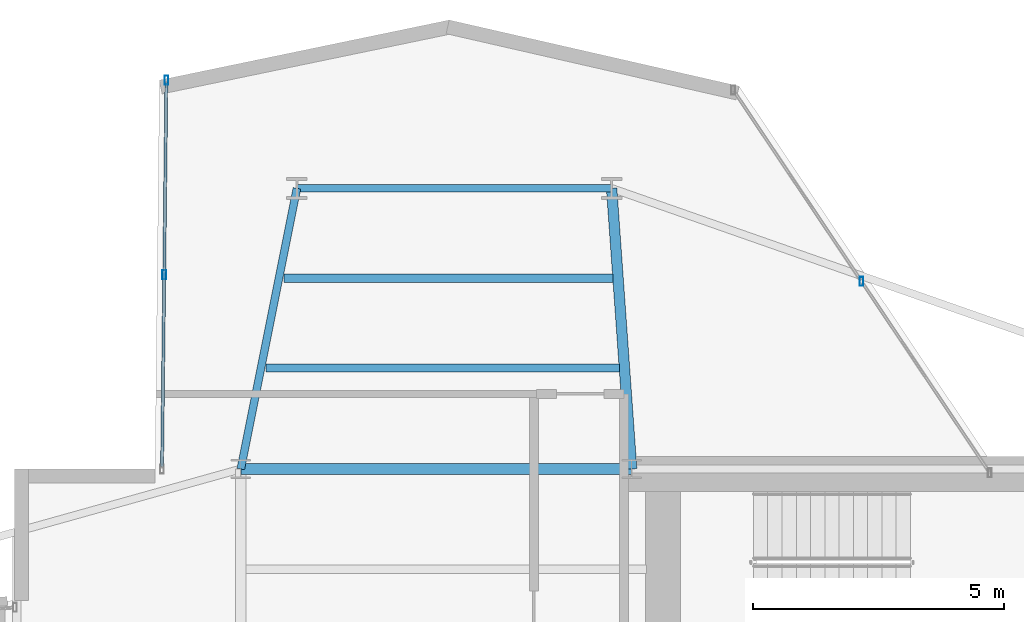
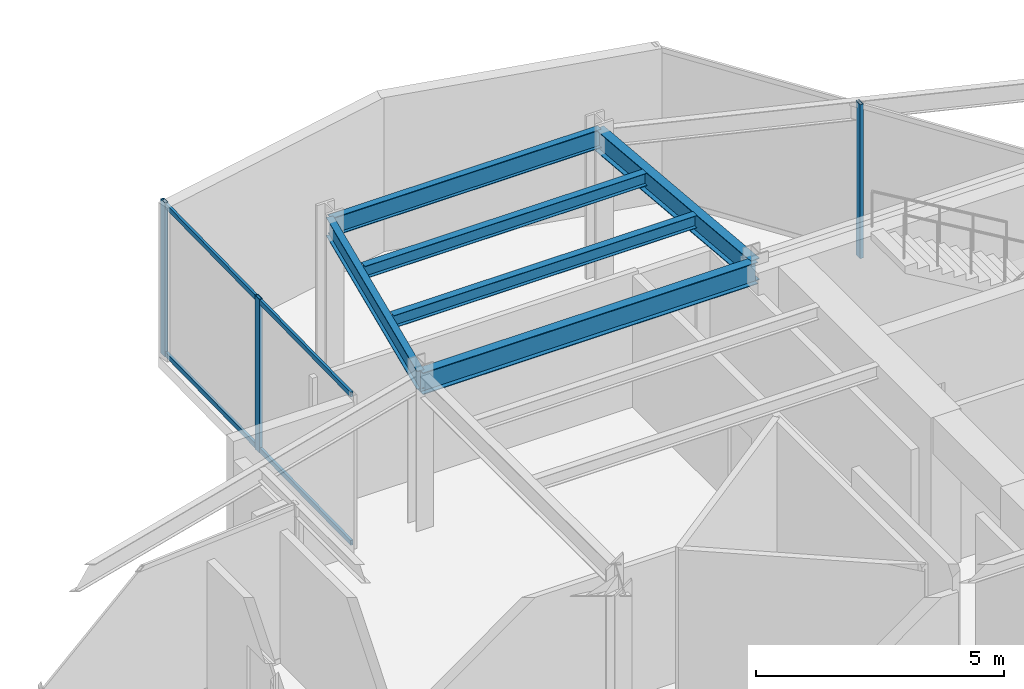
# One storey, part 12 of 22: 6 beams, 5 members, 2 elements without a shape of their own.
"""IFC4 building model written with IfcOpenShell, lengths in metres."""

from ifc_helpers import new_model, si_unit, direction, frame, origin, origin_2d, place, context, subcontext, project, spatial, hollow_rectangle, i_section, extrude, material, layer, layer_set, material_profile, profile_set, type_object, element, aggregate, save


model = new_model("IFC4")

# Units and contexts
model_context = context("Model", 3, precision=1e-05, world=origin(), true_north=direction((0.0, 1.0)))
body_context = subcontext(model_context, "Body", "Model", "MODEL_VIEW")
ifc_project = project(units=[si_unit("LENGTHUNIT", "METRE"), si_unit("AREAUNIT", "SQUARE_METRE"), si_unit("VOLUMEUNIT", "CUBIC_METRE"), si_unit("PLANEANGLEUNIT", "RADIAN"), si_unit("MASSUNIT", "GRAM", prefix="KILO")], contexts=[model_context])

# Site, building, storey
site_placement = place(None, origin())
site = spatial("IfcSite", under=ifc_project, at=site_placement, CompositionType="ELEMENT")
building_placement = place(site_placement, origin())
building = spatial("IfcBuilding", under=site, at=building_placement, Name="Veymaron Broadcast Tower", CompositionType="ELEMENT")
storey_placement = place(building_placement, frame((0.0, 0.0, 204.0)))
storey = spatial("IfcBuildingStorey", under=building, at=storey_placement, Name="L47", CompositionType="ELEMENT", Elevation=204.0)

# Beams
ifc_material_1 = material(Name="Structural steel ASTM A992 Gr 50", Category="steel")
ifc_material_profile_1 = material_profile(ifc_material_1, i_section(OverallWidth=0.2099609375, OverallDepth=0.537109375, WebThickness=0.010986328125, FlangeThickness=0.017333984375, at=origin_2d()), Name="W530X101")
ifc_profile_set_1 = profile_set([ifc_material_profile_1], Name="Structural steel ASTM A992 Gr 50")
beam_type_1 = type_object("IfcBeamType", Name="BM-FG3", PredefinedType="BEAM", material=ifc_profile_set_1)
beam_1_placement = place(storey_placement, frame((31.199951171875, 32.0, 3.521484375), z_axis=(1.0, 0.0, 0.0), x_axis=(0.0, 1.0, 0.0)))
element("IfcBeam", 1, at=beam_1_placement, inside=storey, type_object=beam_type_1, Name="L47 primary structural floor girder", PredefinedType="BEAM", context=body_context, shape_type="SweptSolid", body=[
    extrude(i_section(OverallWidth=0.2099609375, OverallDepth=0.537109375, WebThickness=0.010986328125, FlangeThickness=0.017333984375, at=origin_2d()), origin(), (0.0, 0.0, 1.0), 7.800048828125),
])
beam_2_placement = place(storey_placement, frame((39.0, 32.0, 3.521484375), z_axis=(-0.071228508128, 0.997460024076, 0.0), x_axis=(-0.997460024076, -0.071228508128, 0.0)))
element("IfcBeam", 2, at=beam_2_placement, inside=storey, type_object=beam_type_1, Name="L47 primary structural floor girder", PredefinedType="BEAM", context=body_context, shape_type="SweptSolid", body=[
    extrude(i_section(OverallWidth=0.2099609375, OverallDepth=0.537109375, WebThickness=0.010986328125, FlangeThickness=0.017333984375, at=origin_2d()), origin(), (0.0, 0.0, 1.0), 5.6142578125),
])
ifc_material_profile_2 = material_profile(ifc_material_1, i_section(OverallWidth=0.1650390625, OverallDepth=0.31005859375, WebThickness=0.005859375, FlangeThickness=0.009765625, at=origin_2d()), Name="W310X39")
ifc_profile_set_2 = profile_set([ifc_material_profile_2], Name="Structural steel ASTM A992 Gr 50")
beam_type_2 = type_object("IfcBeamType", Name="BM-JS3", PredefinedType="JOIST", material=ifc_profile_set_2)
beam_3_placement = place(storey_placement, frame((31.703125, 34.01611328125, 3.635009765625), z_axis=(1.0, 0.0, 0.0), x_axis=(0.0, 1.0, 0.0)))
element("IfcBeam", 3, at=beam_3_placement, inside=storey, type_object=beam_type_2, Name="L47 Arm-B secondary joist 1", PredefinedType="JOIST", context=body_context, shape_type="SweptSolid", body=[
    extrude(i_section(OverallWidth=0.1650390625, OverallDepth=0.31005859375, WebThickness=0.005859375, FlangeThickness=0.009765625, at=origin_2d()), origin(), (0.0, 0.0, 1.0), 7.052978515625),
])
beam_4_placement = place(storey_placement, frame((32.0615234375, 35.80810546875, 3.635009765625), z_axis=(1.0, 0.0, 0.0), x_axis=(0.0, 1.0, 0.0)))
element("IfcBeam", 4, at=beam_4_placement, inside=storey, type_object=beam_type_2, Name="L47 Arm-B secondary joist 2", PredefinedType="JOIST", context=body_context, shape_type="SweptSolid", body=[
    extrude(i_section(OverallWidth=0.1650390625, OverallDepth=0.31005859375, WebThickness=0.005859375, FlangeThickness=0.009765625, at=origin_2d()), origin(), (0.0, 0.0, 1.0), 6.56640625),
])
ifc_material_profile_3 = material_profile(ifc_material_1, i_section(OverallWidth=0.154052734375, OverallDepth=0.458984375, WebThickness=0.009033203125, FlangeThickness=0.015380859375, at=origin_2d()), Name="W460X68")
ifc_profile_set_3 = profile_set([ifc_material_profile_3], Name="Structural steel ASTM A992 Gr 50")
beam_type_3 = type_object("IfcBeamType", Name="BM-SP2", PredefinedType="SPANDREL", material=ifc_profile_set_3)
beam_5_placement = place(storey_placement, frame((31.199951171875, 32.0, 3.560546875), z_axis=(0.196132577048, 0.980577387166, 0.0), x_axis=(-0.980577387166, 0.196132577048, 0.0)))
element("IfcBeam", 5, at=beam_5_placement, inside=storey, type_object=beam_type_3, Name="L47 primary structural floor girder", PredefinedType="SPANDREL", context=body_context, shape_type="SweptSolid", body=[
    extrude(i_section(OverallWidth=0.154052734375, OverallDepth=0.458984375, WebThickness=0.009033203125, FlangeThickness=0.015380859375, at=origin_2d()), origin(), (0.0, 0.0, 1.0), 5.7109375),
])
beam_6_placement = place(storey_placement, frame((32.320068359375, 37.60009765625, 3.560546875), z_axis=(1.0, 0.0, 0.0), x_axis=(0.0, 1.0, 0.0)))
element("IfcBeam", 6, at=beam_6_placement, inside=storey, type_object=beam_type_3, Name="L47 primary structural floor girder", PredefinedType="SPANDREL", context=body_context, shape_type="SweptSolid", body=[
    extrude(i_section(OverallWidth=0.154052734375, OverallDepth=0.458984375, WebThickness=0.009033203125, FlangeThickness=0.015380859375, at=origin_2d()), origin(), (0.0, 0.0, 1.0), 6.280029296875),
])

# Curtain wall, member
ifc_material_2 = material(Name="Anodised aluminium AA 6063-T6 and laminated low-E dark glass", Category="aluminium")
ifc_layer = layer(ifc_material_2, 0.179931640625)
ifc_layer_set = layer_set([ifc_layer], Name="Anodised aluminium AA 6063-T6 and laminated low-E dark glass")
curtain_wall_type = type_object("IfcCurtainWallType", Name="CW-SYS-05", PredefinedType="NOTDEFINED", material=ifc_layer_set)
curtain_wall_1_placement = place(storey_placement, origin())
curtain_wall_1 = element("IfcCurtainWall", 7, at=curtain_wall_1_placement, inside=storey, type_object=curtain_wall_type, Name="L47 dark-glass curtain wall CW-L47-E5-1", PredefinedType="NOTDEFINED")
ifc_material_3 = material(Name="Anodised aluminium AA 6063-T6", Category="aluminium")
ifc_material_profile_4 = material_profile(ifc_material_3, hollow_rectangle(XDim=0.074951171875, YDim=0.179931640625, WallThickness=0.0048828125, at=origin_2d()), Name="AL180X75X5")
ifc_profile_set_4 = profile_set([ifc_material_profile_4], Name="Anodised aluminium AA 6063-T6")
member_type_1 = type_object("IfcMemberType", Name="CW-MUL-02", PredefinedType="MULLION", material=ifc_profile_set_4)
member_1_placement = place(storey_placement, frame((43.587890625, 35.7421875, 0.0), z_axis=(0.0, 0.0, 1.0), x_axis=(1.0, 0.0, 0.0)))
member_1 = element("IfcMember", 8, at=member_1_placement, type_object=member_type_1, Name="CW-L47-E5-1 mullion 1", PredefinedType="MULLION", context=body_context, shape_type="SweptSolid", body=[
    extrude(hollow_rectangle(XDim=0.074951171875, YDim=0.179931640625, WallThickness=0.0048828125, at=origin_2d()), origin(), (0.0, 0.0, 1.0), 3.7900390625),
])
aggregate(curtain_wall_1, [member_1])

# Curtain wall, members
curtain_wall_2_placement = place(storey_placement, origin())
curtain_wall_2 = element("IfcCurtainWall", 9, at=curtain_wall_2_placement, inside=storey, type_object=curtain_wall_type, Name="L47 dark-glass curtain wall CW-L47-E8-1", PredefinedType="NOTDEFINED")
member_2_placement = place(storey_placement, frame((29.715576171875, 39.75830078125, 0.0), z_axis=(0.0, 0.0, 1.0), x_axis=(1.0, 0.0, 0.0)))
member_2 = element("IfcMember", 10, at=member_2_placement, type_object=member_type_1, Name="CW-L47-E8-1 mullion 0", PredefinedType="MULLION", context=body_context, shape_type="SweptSolid", body=[
    extrude(hollow_rectangle(XDim=0.074951171875, YDim=0.179931640625, WallThickness=0.0048828125, at=origin_2d()), origin(), (0.0, 0.0, 1.0), 3.7900390625),
])
member_3_placement = place(storey_placement, frame((29.672119140625, 35.87841796875, 0.0), z_axis=(0.0, 0.0, 1.0), x_axis=(1.0, 0.0, 0.0)))
member_3 = element("IfcMember", 11, at=member_3_placement, type_object=member_type_1, Name="CW-L47-E8-1 mullion 1", PredefinedType="MULLION", context=body_context, shape_type="SweptSolid", body=[
    extrude(hollow_rectangle(XDim=0.074951171875, YDim=0.179931640625, WallThickness=0.0048828125, at=origin_2d()), origin(), (0.0, 0.0, 1.0), 3.7900390625),
])
ifc_material_profile_5 = material_profile(ifc_material_3, hollow_rectangle(XDim=0.06005859375, YDim=0.1201171875, WallThickness=0.00390625, at=origin_2d()), Name="AL120X60X4")
ifc_profile_set_5 = profile_set([ifc_material_profile_5], Name="Anodised aluminium AA 6063-T6")
member_type_2 = type_object("IfcMemberType", Name="CW-TRN-02", PredefinedType="USERDEFINED", material=ifc_profile_set_5)
member_4_placement = place(storey_placement, frame((29.71484375, 39.70849609375, 0.070068359375), z_axis=(-0.011154328977, -0.999937788537, 0.0), x_axis=(0.999937788537, -0.011154328977, 0.0)))
member_4 = element("IfcMember", 12, at=member_4_placement, type_object=member_type_2, Name="CW-L47-E8-1 transom B", ObjectType="TRANSOM", PredefinedType="USERDEFINED", context=body_context, shape_type="SweptSolid", body=[
    extrude(hollow_rectangle(XDim=0.06005859375, YDim=0.1201171875, WallThickness=0.00390625, at=origin_2d()), origin(), (0.0, 0.0, 1.0), 7.66064453125),
])
member_5_placement = place(storey_placement, frame((29.71484375, 39.70849609375, 3.719970703125), z_axis=(-0.011154328977, -0.999937788537, 0.0), x_axis=(0.999937788537, -0.011154328977, 0.0)))
member_5 = element("IfcMember", 13, at=member_5_placement, type_object=member_type_2, Name="CW-L47-E8-1 transom T", ObjectType="TRANSOM", PredefinedType="USERDEFINED", context=body_context, shape_type="SweptSolid", body=[
    extrude(hollow_rectangle(XDim=0.06005859375, YDim=0.1201171875, WallThickness=0.00390625, at=origin_2d()), origin(), (0.0, 0.0, 1.0), 7.66064453125),
])
aggregate(curtain_wall_2, [member_2, member_3, member_4, member_5])

save(model, "model.ifc")
